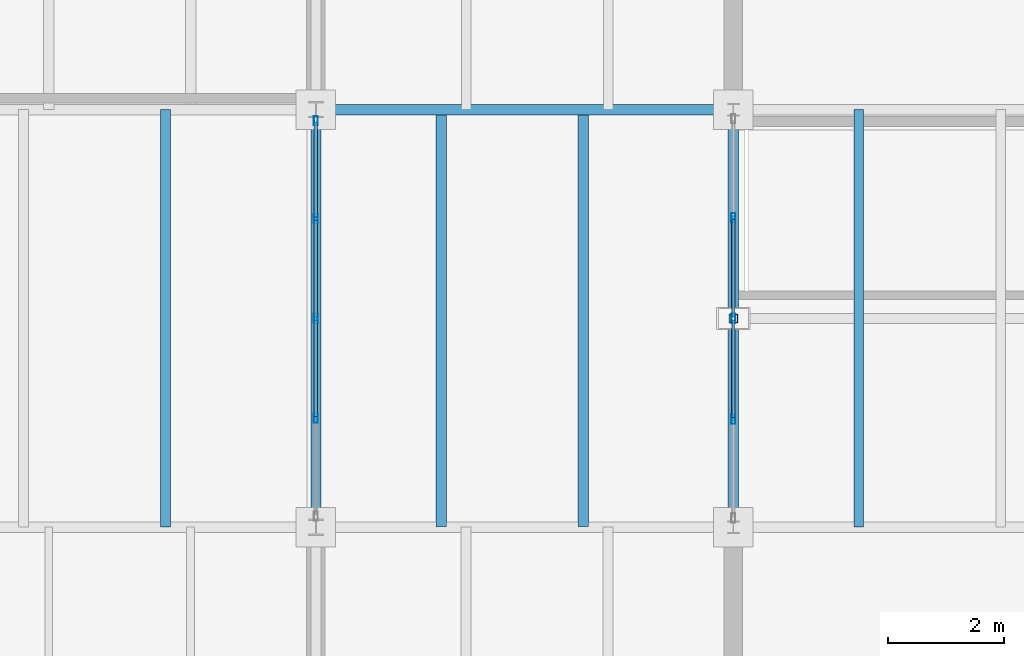
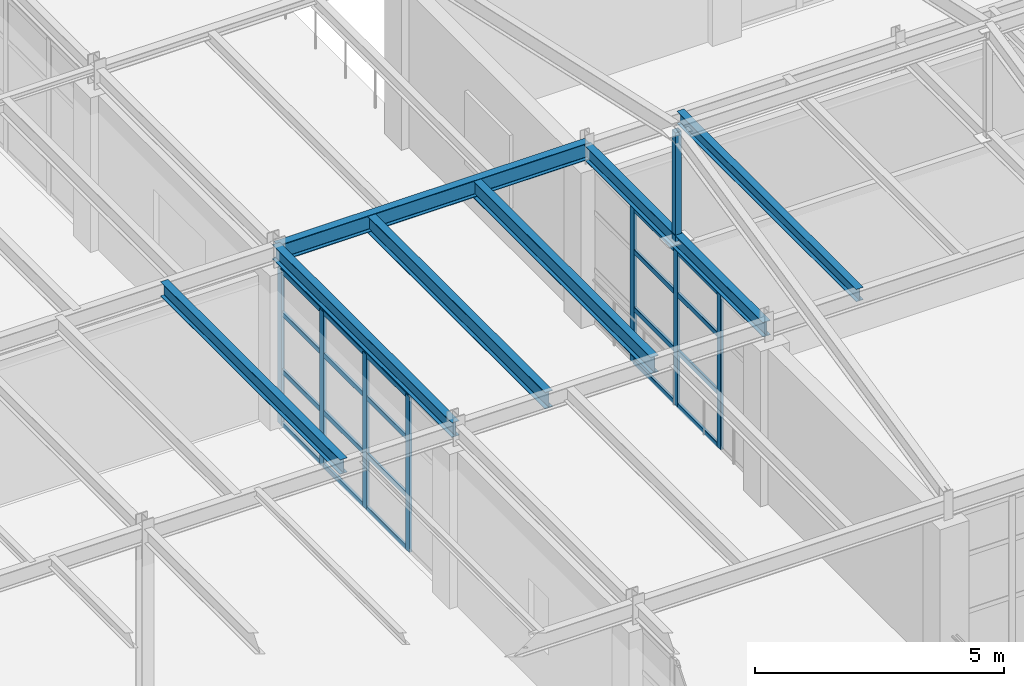
# One storey, part 31 of 101: 28 members, 7 beams, 2 elements without a shape of their own.
"""IFC4 building model written with IfcOpenShell, lengths in metres."""

from ifc_helpers import new_model, si_unit, direction, frame, origin, origin_2d, place, context, subcontext, project, spatial, hollow_rectangle, i_section, extrude, material, layer, layer_set, material_profile, profile_set, type_object, element, aggregate, save


model = new_model("IFC4")

# Units and contexts
model_context = context("Model", 3, precision=1e-05, world=origin(), true_north=direction((0.0, 1.0)))
body_context = subcontext(model_context, "Body", "Model", "MODEL_VIEW")
ifc_project = project(units=[si_unit("LENGTHUNIT", "METRE"), si_unit("AREAUNIT", "SQUARE_METRE"), si_unit("VOLUMEUNIT", "CUBIC_METRE"), si_unit("PLANEANGLEUNIT", "RADIAN"), si_unit("MASSUNIT", "GRAM", prefix="KILO")], contexts=[model_context])

# Site, building, storey
site_placement = place(None, origin())
site = spatial("IfcSite", under=ifc_project, at=site_placement, CompositionType="ELEMENT")
building_placement = place(site_placement, origin())
building = spatial("IfcBuilding", under=site, at=building_placement, Name="Kemerveld Promenade Tramway Depot", CompositionType="ELEMENT")
storey_placement = place(building_placement, frame((0.0, 0.0, 9.89990234375)))
storey = spatial("IfcBuildingStorey", under=building, at=storey_placement, Name="L02", CompositionType="ELEMENT", Elevation=9.89990234375)

# Beams
ifc_material_1 = material(Name="Steel S355", Category="steel")
ifc_material_profile_1 = material_profile(ifc_material_1, i_section(OverallWidth=0.1787109375, OverallDepth=0.409423828125, WebThickness=0.0087890625, FlangeThickness=0.014404296875, FilletRadius=0.01025390625, at=origin_2d()), Name="406x178x67 UB")
ifc_profile_set_1 = profile_set([ifc_material_profile_1], Name="Steel S355")
beam_type_1 = type_object("IfcBeamType", Name="BM-G07", PredefinedType="BEAM", material=ifc_profile_set_1)
beam_1_placement = place(storey_placement, frame((50.39990234375, 21.60009765625, 4.080322265625), z_axis=(1.0, 0.0, 0.0), x_axis=(0.0, 1.0, 0.0)))
element("IfcBeam", 1, at=beam_1_placement, inside=storey, type_object=beam_type_1, Name="BMX-L02-08-09-D", PredefinedType="BEAM", context=body_context, shape_type="SweptSolid", body=[
    extrude(i_section(OverallWidth=0.1787109375, OverallDepth=0.409423828125, WebThickness=0.0087890625, FlangeThickness=0.014404296875, FilletRadius=0.01025390625, at=origin_2d()), origin(), (0.0, 0.0, 1.0), 7.2001953125),
])
ifc_material_profile_2 = material_profile(ifc_material_1, i_section(OverallWidth=0.172119140625, OverallDepth=0.35791015625, WebThickness=0.008056640625, FlangeThickness=0.012939453125, FilletRadius=0.01025390625, at=origin_2d()), Name="356x171x57 UB")
ifc_profile_set_2 = profile_set([ifc_material_profile_2], Name="Steel S355")
beam_type_2 = type_object("IfcBeamType", Name="BM-G08", PredefinedType="BEAM", material=ifc_profile_set_2)
for number, where, z_axis, x_axis, name in (
    (2, (50.39990234375, 14.39990234375, 4.106201171875), (0.0, 1.0, 0.0), (-1.0, 0.0, 0.0), "BMY-L02-08-C-D"),
    (3, (57.60009765625, 14.39990234375, 4.041015625), (0.0, 1.0, 0.0), (-1.0, 0.0, 0.0), "BMY-L02-09-C-D"),
):
    element("IfcBeam", number, at=place(storey_placement, frame(where, z_axis=z_axis, x_axis=x_axis)), inside=storey, type_object=beam_type_2, Name=name, PredefinedType="BEAM", context=body_context, shape_type="SweptSolid", body=[
        extrude(i_section(OverallWidth=0.172119140625, OverallDepth=0.35791015625, WebThickness=0.008056640625, FlangeThickness=0.012939453125, FilletRadius=0.01025390625, at=origin_2d()), origin(), (0.0, 0.0, 1.0), 7.2001953125),
    ])
ifc_material_profile_3 = material_profile(ifc_material_1, i_section(OverallWidth=0.165771484375, OverallDepth=0.306640625, WebThickness=0.006591796875, FlangeThickness=0.01171875, FilletRadius=0.0087890625, at=origin_2d()), Name="305x165x46 UB")
ifc_profile_set_3 = profile_set([ifc_material_profile_3], Name="Steel S355")
beam_type_3 = type_object("IfcBeamType", Name="BM-J01", PredefinedType="JOIST", material=ifc_profile_set_3)
beam_2_placement = place(storey_placement, frame((59.760009765625, 14.39990234375, 4.121826171875), z_axis=(0.0, 1.0, 0.0), x_axis=(-1.0, 0.0, 0.0)))
element("IfcBeam", 4, at=beam_2_placement, inside=storey, type_object=beam_type_3, Name="JST-L02-09-C-1", PredefinedType="JOIST", context=body_context, shape_type="SweptSolid", body=[
    extrude(i_section(OverallWidth=0.165771484375, OverallDepth=0.306640625, WebThickness=0.006591796875, FlangeThickness=0.01171875, FilletRadius=0.0087890625, at=origin_2d()), origin(), (0.0, 0.0, 1.0), 7.2001953125),
])
ifc_material_profile_4 = material_profile(ifc_material_1, i_section(OverallWidth=0.172119140625, OverallDepth=0.35791015625, WebThickness=0.008056640625, FlangeThickness=0.012939453125, FilletRadius=0.01025390625, at=origin_2d()), Name="356x171x57 UB")
ifc_profile_set_4 = profile_set([ifc_material_profile_4], Name="Steel S355")
beam_type_4 = type_object("IfcBeamType", Name="BM-J04", PredefinedType="JOIST", material=ifc_profile_set_4)
beam_3_placement = place(storey_placement, frame((47.80810546875, 14.39990234375, 4.106201171875), z_axis=(0.0, 1.0, 0.0), x_axis=(-1.0, 0.0, 0.0)))
element("IfcBeam", 5, at=beam_3_placement, inside=storey, type_object=beam_type_4, Name="JST-L02-07-C-2", PredefinedType="JOIST", context=body_context, shape_type="SweptSolid", body=[
    extrude(i_section(OverallWidth=0.172119140625, OverallDepth=0.35791015625, WebThickness=0.008056640625, FlangeThickness=0.012939453125, FilletRadius=0.01025390625, at=origin_2d()), origin(), (0.0, 0.0, 1.0), 7.2001953125),
])
ifc_material_profile_5 = material_profile(ifc_material_1, i_section(OverallWidth=0.1787109375, OverallDepth=0.409423828125, WebThickness=0.0087890625, FlangeThickness=0.014404296875, FilletRadius=0.01025390625, at=origin_2d()), Name="406x178x67 UB")
ifc_profile_set_5 = profile_set([ifc_material_profile_5], Name="Steel S355")
beam_type_5 = type_object("IfcBeamType", Name="BM-J05", PredefinedType="JOIST", material=ifc_profile_set_5)
for number, where, z_axis, x_axis, name in (
    (6, (52.56005859375, 14.39990234375, 4.0703125), (0.0, 1.0, 0.0), (-1.0, 0.0, 0.0), "JST-L02-08-C-1"),
    (7, (55.008056640625, 14.39990234375, 4.0703125), (0.0, 1.0, 0.0), (-1.0, 0.0, 0.0), "JST-L02-08-C-2"),
):
    element("IfcBeam", number, at=place(storey_placement, frame(where, z_axis=z_axis, x_axis=x_axis)), inside=storey, type_object=beam_type_5, Name=name, PredefinedType="JOIST", context=body_context, shape_type="SweptSolid", body=[
        extrude(i_section(OverallWidth=0.1787109375, OverallDepth=0.409423828125, WebThickness=0.0087890625, FlangeThickness=0.014404296875, FilletRadius=0.01025390625, at=origin_2d()), origin(), (0.0, 0.0, 1.0), 7.2001953125),
    ])

# Curtain wall, members
ifc_material_2 = material(Name="Bronze anodised aluminium and solar glass", Category="aluminium")
ifc_layer_1 = layer(ifc_material_2, 0.159912109375)
ifc_layer_set_1 = layer_set([ifc_layer_1], Name="CW-SYS-11")
curtain_wall_type_1 = type_object("IfcCurtainWallType", Name="CW-SYS-11", PredefinedType="USERDEFINED", material=ifc_layer_set_1)
curtain_wall_1_placement = place(storey_placement, origin())
curtain_wall_1 = element("IfcCurtainWall", 8, at=curtain_wall_1_placement, inside=storey, type_object=curtain_wall_type_1, Name="CW-L02-V5E-08", ObjectType="GLAZED_CURTAIN_WALL", PredefinedType="USERDEFINED")
ifc_material_3 = material(Name="Bronze anodised aluminium", Category="aluminium")
ifc_material_profile_6 = material_profile(ifc_material_3, hollow_rectangle(XDim=0.06494140625, YDim=0.159912109375, WallThickness=0.00390625, InnerFilletRadius=0.001953125, OuterFilletRadius=0.00390625, at=origin_2d()), Name="CW-MUL-160x65")
ifc_profile_set_6 = profile_set([ifc_material_profile_6], Name="Bronze anodised aluminium")
member_type_1 = type_object("IfcMemberType", Name="CW-MUL-A", PredefinedType="MULLION", material=ifc_profile_set_6)
member_1_placement = place(storey_placement, frame((50.39990234375, 21.409423828125, 0.0), z_axis=(0.0, 0.0, 1.0), x_axis=(1.0, 0.0, 0.0)))
member_1 = element("IfcMember", 9, at=member_1_placement, type_object=member_type_1, Name="CW11 mullion 1", PredefinedType="MULLION", context=body_context, shape_type="SweptSolid", body=[
    extrude(hollow_rectangle(XDim=0.06494140625, YDim=0.159912109375, WallThickness=0.00390625, InnerFilletRadius=0.001953125, OuterFilletRadius=0.00390625, at=origin_2d()), origin(), (0.0, 0.0, 1.0), 3.800048828125),
])
member_2_placement = place(storey_placement, frame((50.39990234375, 19.720947265625, 0.0), z_axis=(0.0, 0.0, 1.0), x_axis=(1.0, 0.0, 0.0)))
member_2 = element("IfcMember", 10, at=member_2_placement, type_object=member_type_1, Name="CW11 mullion 2", PredefinedType="MULLION", context=body_context, shape_type="SweptSolid", body=[
    extrude(hollow_rectangle(XDim=0.06494140625, YDim=0.159912109375, WallThickness=0.00390625, InnerFilletRadius=0.001953125, OuterFilletRadius=0.00390625, at=origin_2d()), origin(), (0.0, 0.0, 1.0), 3.800048828125),
])
member_3_placement = place(storey_placement, frame((50.39990234375, 18.0, 0.0), z_axis=(0.0, 0.0, 1.0), x_axis=(1.0, 0.0, 0.0)))
member_3 = element("IfcMember", 11, at=member_3_placement, type_object=member_type_1, Name="CW11 mullion 3", PredefinedType="MULLION", context=body_context, shape_type="SweptSolid", body=[
    extrude(hollow_rectangle(XDim=0.06494140625, YDim=0.159912109375, WallThickness=0.00390625, InnerFilletRadius=0.001953125, OuterFilletRadius=0.00390625, at=origin_2d()), origin(), (0.0, 0.0, 1.0), 3.800048828125),
])
member_4_placement = place(storey_placement, frame((50.39990234375, 16.279052734375, 0.0), z_axis=(0.0, 0.0, 1.0), x_axis=(1.0, 0.0, 0.0)))
member_4 = element("IfcMember", 12, at=member_4_placement, type_object=member_type_1, Name="CW11 mullion 4", PredefinedType="MULLION", context=body_context, shape_type="SweptSolid", body=[
    extrude(hollow_rectangle(XDim=0.06494140625, YDim=0.159912109375, WallThickness=0.00390625, InnerFilletRadius=0.001953125, OuterFilletRadius=0.00390625, at=origin_2d()), origin(), (0.0, 0.0, 1.0), 3.800048828125),
])

ifc_layer_2 = layer(ifc_material_2, 0.159912109375)
ifc_layer_set_2 = layer_set([ifc_layer_2], Name="CW-SYS-05")
curtain_wall_type_2 = type_object("IfcCurtainWallType", Name="CW-SYS-05", PredefinedType="USERDEFINED", material=ifc_layer_set_2)
curtain_wall_2_placement = place(storey_placement, origin())
curtain_wall_2 = element("IfcCurtainWall", 13, at=curtain_wall_2_placement, inside=storey, type_object=curtain_wall_type_2, Name="CW-L02-V4W-02", ObjectType="GLAZED_CURTAIN_WALL", PredefinedType="USERDEFINED")
member_5_placement = place(storey_placement, frame((57.60009765625, 16.262451171875, 0.0), z_axis=(0.0, 0.0, 1.0), x_axis=(-1.0, 0.0, 0.0)))
member_5 = element("IfcMember", 14, at=member_5_placement, type_object=member_type_1, Name="CW05 mullion 2", PredefinedType="MULLION", context=body_context, shape_type="SweptSolid", body=[
    extrude(hollow_rectangle(XDim=0.06494140625, YDim=0.159912109375, WallThickness=0.00390625, InnerFilletRadius=0.001953125, OuterFilletRadius=0.00390625, at=origin_2d()), origin(), (0.0, 0.0, 1.0), 3.800048828125),
])
member_6_placement = place(storey_placement, frame((57.60009765625, 18.0, 0.0), z_axis=(0.0, 0.0, 1.0), x_axis=(-1.0, 0.0, 0.0)))
member_6 = element("IfcMember", 15, at=member_6_placement, type_object=member_type_1, Name="CW05 mullion 3", PredefinedType="MULLION", context=body_context, shape_type="SweptSolid", body=[
    extrude(hollow_rectangle(XDim=0.06494140625, YDim=0.159912109375, WallThickness=0.00390625, InnerFilletRadius=0.001953125, OuterFilletRadius=0.00390625, at=origin_2d()), origin(), (0.0, 0.0, 1.0), 3.800048828125),
])
member_7_placement = place(storey_placement, frame((57.60009765625, 19.737548828125, 0.0), z_axis=(0.0, 0.0, 1.0), x_axis=(-1.0, 0.0, 0.0)))
member_7 = element("IfcMember", 16, at=member_7_placement, type_object=member_type_1, Name="CW05 mullion 4", PredefinedType="MULLION", context=body_context, shape_type="SweptSolid", body=[
    extrude(hollow_rectangle(XDim=0.06494140625, YDim=0.159912109375, WallThickness=0.00390625, InnerFilletRadius=0.001953125, OuterFilletRadius=0.00390625, at=origin_2d()), origin(), (0.0, 0.0, 1.0), 3.800048828125),
])

# Member
ifc_material_profile_7 = material_profile(ifc_material_3, hollow_rectangle(XDim=0.06005859375, YDim=0.1201171875, WallThickness=0.00390625, InnerFilletRadius=0.001953125, OuterFilletRadius=0.00390625, at=origin_2d()), Name="CW-TRN-120x60")
ifc_profile_set_7 = profile_set([ifc_material_profile_7], Name="Bronze anodised aluminium")
member_type_2 = type_object("IfcMemberType", Name="CW-TRN-A", PredefinedType="USERDEFINED", material=ifc_profile_set_7)
member_8_placement = place(storey_placement, frame((50.39990234375, 21.376953125, 0.030029296875), z_axis=(0.0, -1.0, 0.0), x_axis=(1.0, 0.0, 0.0)))
member_8 = element("IfcMember", 17, at=member_8_placement, type_object=member_type_2, Name="CW11 transom 1.1", ObjectType="TRANSOM", PredefinedType="USERDEFINED", context=body_context, shape_type="SweptSolid", body=[
    extrude(hollow_rectangle(XDim=0.06005859375, YDim=0.1201171875, WallThickness=0.00390625, InnerFilletRadius=0.001953125, OuterFilletRadius=0.00390625, at=origin_2d()), origin(), (0.0, 0.0, 1.0), 1.62353515625),
])

member_9_placement = place(storey_placement, frame((50.39990234375, 21.376953125, 1.330078125), z_axis=(0.0, -1.0, 0.0), x_axis=(1.0, 0.0, 0.0)))
member_9 = element("IfcMember", 18, at=member_9_placement, type_object=member_type_2, Name="CW11 transom 1.2", ObjectType="TRANSOM", PredefinedType="USERDEFINED", context=body_context, shape_type="SweptSolid", body=[
    extrude(hollow_rectangle(XDim=0.06005859375, YDim=0.1201171875, WallThickness=0.00390625, InnerFilletRadius=0.001953125, OuterFilletRadius=0.00390625, at=origin_2d()), origin(), (0.0, 0.0, 1.0), 1.62353515625),
])

member_10_placement = place(storey_placement, frame((50.39990234375, 21.376953125, 2.736083984375), z_axis=(0.0, -1.0, 0.0), x_axis=(1.0, 0.0, 0.0)))
member_10 = element("IfcMember", 19, at=member_10_placement, type_object=member_type_2, Name="CW11 transom 1.3", ObjectType="TRANSOM", PredefinedType="USERDEFINED", context=body_context, shape_type="SweptSolid", body=[
    extrude(hollow_rectangle(XDim=0.06005859375, YDim=0.1201171875, WallThickness=0.00390625, InnerFilletRadius=0.001953125, OuterFilletRadius=0.00390625, at=origin_2d()), origin(), (0.0, 0.0, 1.0), 1.62353515625),
])

member_11_placement = place(storey_placement, frame((50.39990234375, 21.376953125, 3.77001953125), z_axis=(0.0, -1.0, 0.0), x_axis=(1.0, 0.0, 0.0)))
member_11 = element("IfcMember", 20, at=member_11_placement, type_object=member_type_2, Name="CW11 transom 1.4", ObjectType="TRANSOM", PredefinedType="USERDEFINED", context=body_context, shape_type="SweptSolid", body=[
    extrude(hollow_rectangle(XDim=0.06005859375, YDim=0.1201171875, WallThickness=0.00390625, InnerFilletRadius=0.001953125, OuterFilletRadius=0.00390625, at=origin_2d()), origin(), (0.0, 0.0, 1.0), 1.62353515625),
])

member_12_placement = place(storey_placement, frame((50.39990234375, 19.6884765625, 0.030029296875), z_axis=(0.0, -1.0, 0.0), x_axis=(1.0, 0.0, 0.0)))
member_12 = element("IfcMember", 21, at=member_12_placement, type_object=member_type_2, Name="CW11 transom 2.1", ObjectType="TRANSOM", PredefinedType="USERDEFINED", context=body_context, shape_type="SweptSolid", body=[
    extrude(hollow_rectangle(XDim=0.06005859375, YDim=0.1201171875, WallThickness=0.00390625, InnerFilletRadius=0.001953125, OuterFilletRadius=0.00390625, at=origin_2d()), origin(), (0.0, 0.0, 1.0), 1.656005859375),
])

member_13_placement = place(storey_placement, frame((50.39990234375, 19.6884765625, 1.330078125), z_axis=(0.0, -1.0, 0.0), x_axis=(1.0, 0.0, 0.0)))
member_13 = element("IfcMember", 22, at=member_13_placement, type_object=member_type_2, Name="CW11 transom 2.2", ObjectType="TRANSOM", PredefinedType="USERDEFINED", context=body_context, shape_type="SweptSolid", body=[
    extrude(hollow_rectangle(XDim=0.06005859375, YDim=0.1201171875, WallThickness=0.00390625, InnerFilletRadius=0.001953125, OuterFilletRadius=0.00390625, at=origin_2d()), origin(), (0.0, 0.0, 1.0), 1.656005859375),
])

member_14_placement = place(storey_placement, frame((50.39990234375, 19.6884765625, 2.736083984375), z_axis=(0.0, -1.0, 0.0), x_axis=(1.0, 0.0, 0.0)))
member_14 = element("IfcMember", 23, at=member_14_placement, type_object=member_type_2, Name="CW11 transom 2.3", ObjectType="TRANSOM", PredefinedType="USERDEFINED", context=body_context, shape_type="SweptSolid", body=[
    extrude(hollow_rectangle(XDim=0.06005859375, YDim=0.1201171875, WallThickness=0.00390625, InnerFilletRadius=0.001953125, OuterFilletRadius=0.00390625, at=origin_2d()), origin(), (0.0, 0.0, 1.0), 1.656005859375),
])

member_15_placement = place(storey_placement, frame((50.39990234375, 19.6884765625, 3.77001953125), z_axis=(0.0, -1.0, 0.0), x_axis=(1.0, 0.0, 0.0)))
member_15 = element("IfcMember", 24, at=member_15_placement, type_object=member_type_2, Name="CW11 transom 2.4", ObjectType="TRANSOM", PredefinedType="USERDEFINED", context=body_context, shape_type="SweptSolid", body=[
    extrude(hollow_rectangle(XDim=0.06005859375, YDim=0.1201171875, WallThickness=0.00390625, InnerFilletRadius=0.001953125, OuterFilletRadius=0.00390625, at=origin_2d()), origin(), (0.0, 0.0, 1.0), 1.656005859375),
])

member_16_placement = place(storey_placement, frame((50.39990234375, 17.967529296875, 0.030029296875), z_axis=(0.0, -1.0, 0.0), x_axis=(1.0, 0.0, 0.0)))
member_16 = element("IfcMember", 25, at=member_16_placement, type_object=member_type_2, Name="CW11 transom 3.1", ObjectType="TRANSOM", PredefinedType="USERDEFINED", context=body_context, shape_type="SweptSolid", body=[
    extrude(hollow_rectangle(XDim=0.06005859375, YDim=0.1201171875, WallThickness=0.00390625, InnerFilletRadius=0.001953125, OuterFilletRadius=0.00390625, at=origin_2d()), origin(), (0.0, 0.0, 1.0), 1.656005859375),
])

member_17_placement = place(storey_placement, frame((50.39990234375, 17.967529296875, 1.330078125), z_axis=(0.0, -1.0, 0.0), x_axis=(1.0, 0.0, 0.0)))
member_17 = element("IfcMember", 26, at=member_17_placement, type_object=member_type_2, Name="CW11 transom 3.2", ObjectType="TRANSOM", PredefinedType="USERDEFINED", context=body_context, shape_type="SweptSolid", body=[
    extrude(hollow_rectangle(XDim=0.06005859375, YDim=0.1201171875, WallThickness=0.00390625, InnerFilletRadius=0.001953125, OuterFilletRadius=0.00390625, at=origin_2d()), origin(), (0.0, 0.0, 1.0), 1.656005859375),
])

member_18_placement = place(storey_placement, frame((50.39990234375, 17.967529296875, 2.736083984375), z_axis=(0.0, -1.0, 0.0), x_axis=(1.0, 0.0, 0.0)))
member_18 = element("IfcMember", 27, at=member_18_placement, type_object=member_type_2, Name="CW11 transom 3.3", ObjectType="TRANSOM", PredefinedType="USERDEFINED", context=body_context, shape_type="SweptSolid", body=[
    extrude(hollow_rectangle(XDim=0.06005859375, YDim=0.1201171875, WallThickness=0.00390625, InnerFilletRadius=0.001953125, OuterFilletRadius=0.00390625, at=origin_2d()), origin(), (0.0, 0.0, 1.0), 1.656005859375),
])

member_19_placement = place(storey_placement, frame((50.39990234375, 17.967529296875, 3.77001953125), z_axis=(0.0, -1.0, 0.0), x_axis=(1.0, 0.0, 0.0)))
member_19 = element("IfcMember", 28, at=member_19_placement, type_object=member_type_2, Name="CW11 transom 3.4", ObjectType="TRANSOM", PredefinedType="USERDEFINED", context=body_context, shape_type="SweptSolid", body=[
    extrude(hollow_rectangle(XDim=0.06005859375, YDim=0.1201171875, WallThickness=0.00390625, InnerFilletRadius=0.001953125, OuterFilletRadius=0.00390625, at=origin_2d()), origin(), (0.0, 0.0, 1.0), 1.656005859375),
])

aggregate(curtain_wall_1, [member_1, member_2, member_3, member_4, member_8, member_9, member_10, member_11, member_12, member_13, member_14, member_15, member_16, member_17, member_18, member_19])

member_20_placement = place(storey_placement, frame((57.60009765625, 16.294921875, 0.030029296875), z_axis=(0.0, 1.0, 0.0), x_axis=(-1.0, 0.0, 0.0)))
member_20 = element("IfcMember", 29, at=member_20_placement, type_object=member_type_2, Name="CW05 transom 2.1", ObjectType="TRANSOM", PredefinedType="USERDEFINED", context=body_context, shape_type="SweptSolid", body=[
    extrude(hollow_rectangle(XDim=0.06005859375, YDim=0.1201171875, WallThickness=0.00390625, InnerFilletRadius=0.001953125, OuterFilletRadius=0.00390625, at=origin_2d()), origin(), (0.0, 0.0, 1.0), 1.672607421875),
])

member_21_placement = place(storey_placement, frame((57.60009765625, 16.294921875, 1.330078125), z_axis=(0.0, 1.0, 0.0), x_axis=(-1.0, 0.0, 0.0)))
member_21 = element("IfcMember", 30, at=member_21_placement, type_object=member_type_2, Name="CW05 transom 2.2", ObjectType="TRANSOM", PredefinedType="USERDEFINED", context=body_context, shape_type="SweptSolid", body=[
    extrude(hollow_rectangle(XDim=0.06005859375, YDim=0.1201171875, WallThickness=0.00390625, InnerFilletRadius=0.001953125, OuterFilletRadius=0.00390625, at=origin_2d()), origin(), (0.0, 0.0, 1.0), 1.672607421875),
])

member_22_placement = place(storey_placement, frame((57.60009765625, 16.294921875, 2.736083984375), z_axis=(0.0, 1.0, 0.0), x_axis=(-1.0, 0.0, 0.0)))
member_22 = element("IfcMember", 31, at=member_22_placement, type_object=member_type_2, Name="CW05 transom 2.3", ObjectType="TRANSOM", PredefinedType="USERDEFINED", context=body_context, shape_type="SweptSolid", body=[
    extrude(hollow_rectangle(XDim=0.06005859375, YDim=0.1201171875, WallThickness=0.00390625, InnerFilletRadius=0.001953125, OuterFilletRadius=0.00390625, at=origin_2d()), origin(), (0.0, 0.0, 1.0), 1.672607421875),
])

member_23_placement = place(storey_placement, frame((57.60009765625, 16.294921875, 3.77001953125), z_axis=(0.0, 1.0, 0.0), x_axis=(-1.0, 0.0, 0.0)))
member_23 = element("IfcMember", 32, at=member_23_placement, type_object=member_type_2, Name="CW05 transom 2.4", ObjectType="TRANSOM", PredefinedType="USERDEFINED", context=body_context, shape_type="SweptSolid", body=[
    extrude(hollow_rectangle(XDim=0.06005859375, YDim=0.1201171875, WallThickness=0.00390625, InnerFilletRadius=0.001953125, OuterFilletRadius=0.00390625, at=origin_2d()), origin(), (0.0, 0.0, 1.0), 1.672607421875),
])

member_24_placement = place(storey_placement, frame((57.60009765625, 18.032470703125, 0.030029296875), z_axis=(0.0, 1.0, 0.0), x_axis=(-1.0, 0.0, 0.0)))
member_24 = element("IfcMember", 33, at=member_24_placement, type_object=member_type_2, Name="CW05 transom 3.1", ObjectType="TRANSOM", PredefinedType="USERDEFINED", context=body_context, shape_type="SweptSolid", body=[
    extrude(hollow_rectangle(XDim=0.06005859375, YDim=0.1201171875, WallThickness=0.00390625, InnerFilletRadius=0.001953125, OuterFilletRadius=0.00390625, at=origin_2d()), origin(), (0.0, 0.0, 1.0), 1.672607421875),
])

member_25_placement = place(storey_placement, frame((57.60009765625, 18.032470703125, 1.330078125), z_axis=(0.0, 1.0, 0.0), x_axis=(-1.0, 0.0, 0.0)))
member_25 = element("IfcMember", 34, at=member_25_placement, type_object=member_type_2, Name="CW05 transom 3.2", ObjectType="TRANSOM", PredefinedType="USERDEFINED", context=body_context, shape_type="SweptSolid", body=[
    extrude(hollow_rectangle(XDim=0.06005859375, YDim=0.1201171875, WallThickness=0.00390625, InnerFilletRadius=0.001953125, OuterFilletRadius=0.00390625, at=origin_2d()), origin(), (0.0, 0.0, 1.0), 1.672607421875),
])

member_26_placement = place(storey_placement, frame((57.60009765625, 18.032470703125, 2.736083984375), z_axis=(0.0, 1.0, 0.0), x_axis=(-1.0, 0.0, 0.0)))
member_26 = element("IfcMember", 35, at=member_26_placement, type_object=member_type_2, Name="CW05 transom 3.3", ObjectType="TRANSOM", PredefinedType="USERDEFINED", context=body_context, shape_type="SweptSolid", body=[
    extrude(hollow_rectangle(XDim=0.06005859375, YDim=0.1201171875, WallThickness=0.00390625, InnerFilletRadius=0.001953125, OuterFilletRadius=0.00390625, at=origin_2d()), origin(), (0.0, 0.0, 1.0), 1.672607421875),
])

member_27_placement = place(storey_placement, frame((57.60009765625, 18.032470703125, 3.77001953125), z_axis=(0.0, 1.0, 0.0), x_axis=(-1.0, 0.0, 0.0)))
member_27 = element("IfcMember", 36, at=member_27_placement, type_object=member_type_2, Name="CW05 transom 3.4", ObjectType="TRANSOM", PredefinedType="USERDEFINED", context=body_context, shape_type="SweptSolid", body=[
    extrude(hollow_rectangle(XDim=0.06005859375, YDim=0.1201171875, WallThickness=0.00390625, InnerFilletRadius=0.001953125, OuterFilletRadius=0.00390625, at=origin_2d()), origin(), (0.0, 0.0, 1.0), 1.672607421875),
])

aggregate(curtain_wall_2, [member_5, member_6, member_7, member_20, member_21, member_22, member_23, member_24, member_25, member_26, member_27])

ifc_material_profile_8 = material_profile(ifc_material_1, hollow_rectangle(XDim=0.14990234375, YDim=0.14990234375, WallThickness=0.008056640625, InnerFilletRadius=0.00390625, OuterFilletRadius=0.011962890625, at=origin_2d()), Name="150x150x8.0 SHS")
ifc_profile_set_8 = profile_set([ifc_material_profile_8], Name="Steel S355")
member_type_3 = type_object("IfcMemberType", Name="MB-TP2", PredefinedType="POST", material=ifc_profile_set_8)
member_28_placement = place(storey_placement, frame((57.60009765625, 18.0, 4.050048828125), z_axis=(0.0, 0.0, 1.0), x_axis=(1.0, 0.0, 0.0)))
element("IfcMember", 37, at=member_28_placement, inside=storey, type_object=member_type_3, Name="POST-RDG-V4-09", PredefinedType="POST", context=body_context, shape_type="SweptSolid", body=[
    extrude(hollow_rectangle(XDim=0.14990234375, YDim=0.14990234375, WallThickness=0.008056640625, InnerFilletRadius=0.00390625, OuterFilletRadius=0.011962890625, at=origin_2d()), origin(), (0.0, 0.0, 1.0), 2.665283203125),
])

save(model, "model.ifc")
